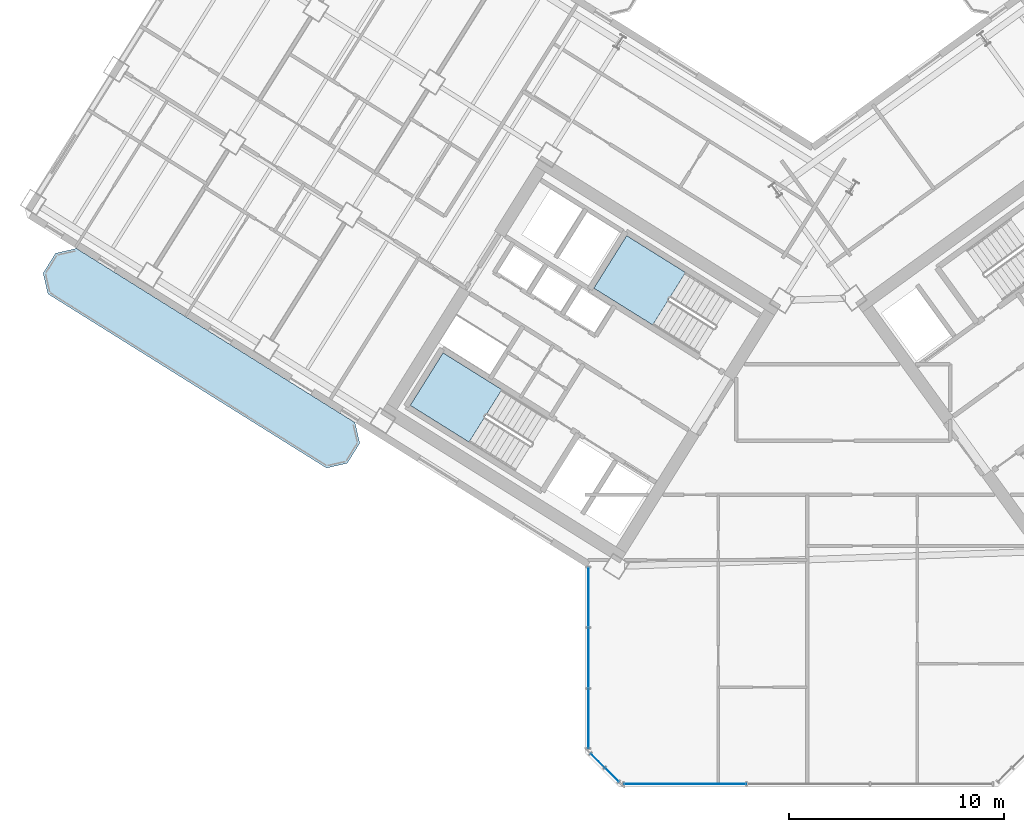
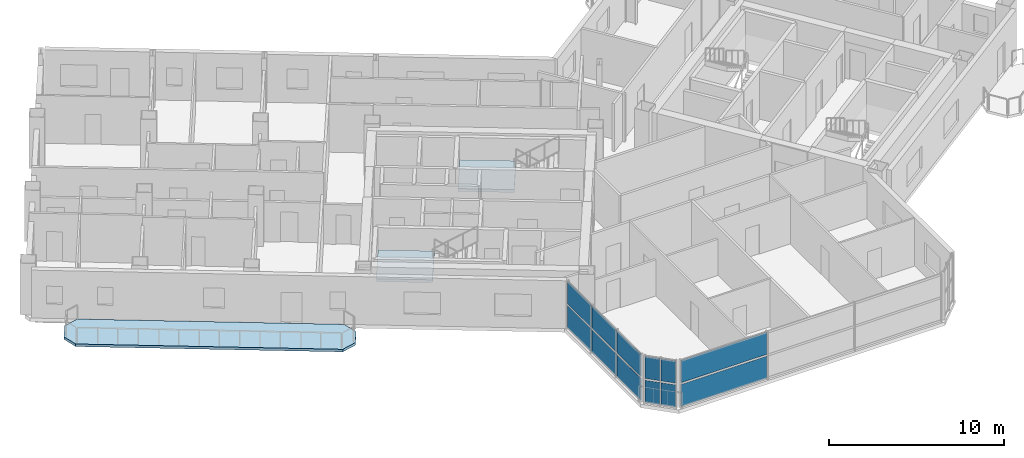
# One storey, part 8 of 20: 12 plates, 3 slabs, 5 elements without a shape of their own.
"""IFC4 building model written with IfcOpenShell, lengths in metres."""

from ifc_helpers import new_model, si_unit, direction, frame, origin, origin_2d, place, context, subcontext, project, spatial, polyline, rectangle, outline, extrude, source, transform, mapped, material, layer, layer_set, type_object, element, aggregate, save


model = new_model("IFC4")

# Units and contexts
model_context = context("Model", 3, precision=1e-05, world=origin(), true_north=direction((0.0, 1.0)))
body_context = subcontext(model_context, "Body", "Model", "MODEL_VIEW")
ifc_project = project(units=[si_unit("LENGTHUNIT", "METRE"), si_unit("AREAUNIT", "SQUARE_METRE"), si_unit("VOLUMEUNIT", "CUBIC_METRE"), si_unit("PLANEANGLEUNIT", "RADIAN"), si_unit("MASSUNIT", "GRAM", prefix="KILO")], contexts=[model_context])

# Site, building, storey
site_placement = place(None, origin())
site = spatial("IfcSite", under=ifc_project, at=site_placement, CompositionType="ELEMENT")
building_placement = place(site_placement, origin())
building = spatial("IfcBuilding", under=site, at=building_placement, Name="Tlacorven Tower", CompositionType="ELEMENT")
storey_placement = place(building_placement, frame((0.0, 0.0, 108.89990234375)))
storey = spatial("IfcBuildingStorey", under=building, at=storey_placement, Name="L27", CompositionType="ELEMENT", Elevation=108.89990234375)

# Slab
ifc_material_1 = material(Name="Precast concrete C45/55", Category="concrete")
ifc_layer_1 = layer(ifc_material_1, 0.179931640625)
ifc_layer_set_1 = layer_set([ifc_layer_1], Name="Precast concrete C45/55")
slab_type_1 = type_object("IfcSlabType", Name="SL-BAL-180", PredefinedType="USERDEFINED", material=ifc_layer_set_1)
slab_1_placement = place(storey_placement, frame((0.0, 0.0, -0.179931640625)))
element("IfcSlab", 1, at=slab_1_placement, inside=storey, type_object=slab_type_1, Name="L27 West Wing Balcony Ribbon OUT", ObjectType="BALCONY SLAB", PredefinedType="USERDEFINED", context=body_context, shape_type="SweptSolid", body=[
    extrude(outline(polyline([(20.88671875, 18.78271484375), (7.91162109375, 26.890625), (6.947021484375, 26.66796875), (6.366943359375, 25.7392578125), (6.589599609375, 24.774658203125), (19.564697265625, 16.6669921875), (20.529296875, 16.8896484375), (21.109375, 17.818115234375), (20.88671875, 18.78271484375)])), origin(), (0.0, 0.0, 1.0), 0.179931640625),
])

# Stair, slab
ifc_material_2 = material(Name="Concrete C40/50", Category="concrete")
stair_type = type_object("IfcStairType", Name="ST-CORE-DLG", PredefinedType="HALF_TURN_STAIR", material=ifc_material_2)
stair_1_placement = place(storey_placement, origin())
stair_1 = element("IfcStair", 2, at=stair_1_placement, inside=storey, type_object=stair_type, Name="L27 Protected Exit Stair West 1", PredefinedType="HALF_TURN_STAIR")
ifc_layer_2 = layer(ifc_material_2, 0.199951171875)
ifc_layer_set_2 = layer_set([ifc_layer_2], Name="Concrete C40/50")
slab_type_2 = type_object("IfcSlabType", Name="SL-LND-200", PredefinedType="LANDING", material=ifc_layer_set_2)
slab_2_placement = place(storey_placement, frame((0.0, 0.0, 1.60009765625)))
slab_2 = element("IfcSlab", 3, at=slab_2_placement, type_object=slab_type_2, Name="ST-W1 landing 1", PredefinedType="LANDING", context=body_context, shape_type="SweptSolid", body=[
    extrude(outline(polyline([(27.728515625, 20.315185546875), (24.9892578125, 22.02685546875), (23.463134765625, 19.58447265625), (26.2021484375, 17.872802734375), (27.728515625, 20.315185546875)])), origin(), (0.0, 0.0, 1.0), 0.199951171875),
])
aggregate(stair_1, [slab_2])

stair_2_placement = place(storey_placement, origin())
stair_2 = element("IfcStair", 4, at=stair_2_placement, inside=storey, type_object=stair_type, Name="L27 Protected Exit Stair West 2", PredefinedType="HALF_TURN_STAIR")
slab_3_placement = place(storey_placement, frame((0.0, 0.0, 1.60009765625)))
slab_3 = element("IfcSlab", 5, at=slab_3_placement, type_object=slab_type_2, Name="ST-W2 landing 1", PredefinedType="LANDING", context=body_context, shape_type="SweptSolid", body=[
    extrude(outline(polyline([(36.280029296875, 25.772705078125), (33.540771484375, 27.484375), (32.0146484375, 25.0419921875), (34.75390625, 23.33056640625), (36.280029296875, 25.772705078125)])), origin(), (0.0, 0.0, 1.0), 0.199951171875),
])
aggregate(stair_2, [slab_3])

# Curtain wall, plates
ifc_material_3 = material(Name="Dark solar low-E double glazing in aluminium frame", Category="aluminium")
curtain_wall_type = type_object("IfcCurtainWallType", Name="CW-TWR-MID", PredefinedType="USERDEFINED", material=ifc_material_3)
curtain_wall_1_placement = place(storey_placement, origin())
curtain_wall_1 = element("IfcCurtainWall", 6, at=curtain_wall_1_placement, inside=storey, type_object=curtain_wall_type, Name="L27 CW-TWR-MID Curtain Wall 137", ObjectType="UNITISED CURTAIN WALL", PredefinedType="USERDEFINED")
ifc_material_4 = material(Name="High-wind dark solar tempered low-E glazing", Category="glass")
ifc_layer_3 = layer(ifc_material_4, 0.028076171875)
ifc_layer_set_3 = layer_set([ifc_layer_3], Name="High-wind dark solar tempered low-E glazing")
plate_type = type_object("IfcPlateType", Name="CWP-03", PredefinedType="CURTAIN_PANEL", material=ifc_layer_set_3)
shared_shape_1 = source(origin(), body_context, "Body", "SweptSolid", [
    extrude(rectangle(XDim=0.885498046875, YDim=0.028076171875, at=origin_2d()), origin(), (0.0, 0.0, 1.0), 1.552978515625),
])
plate_1_placement = place(storey_placement, frame((32.8427734375, 2.38330078125, 0.06103515625), z_axis=(0.0, 0.0, 1.0), x_axis=(-0.707106781187, 0.707106781187, 0.0)))
plate_1 = element("IfcPlate", 7, at=plate_1_placement, type_object=plate_type, Name="CW-L27-137 Glazing Panel 1", PredefinedType="CURTAIN_PANEL", context=body_context, shape_type="MappedRepresentation", body=[
    mapped(shared_shape_1, transform((0.0, 0.0, 0.0), scale=1.0)),
])
plate_2_placement = place(storey_placement, frame((32.8427734375, 2.38330078125, 1.736328125), z_axis=(0.0, 0.0, 1.0), x_axis=(-0.707106781187, 0.707106781187, 0.0)))
plate_2 = element("IfcPlate", 8, at=plate_2_placement, type_object=plate_type, Name="CW-L27-137 Glazing Panel 2", PredefinedType="CURTAIN_PANEL", context=body_context, shape_type="MappedRepresentation", body=[
    mapped(shared_shape_1, transform((0.0, 0.0, 0.0), scale=1.0)),
])
plate_3_placement = place(storey_placement, frame((32.183349609375, 3.04296875, 0.06103515625), z_axis=(0.0, 0.0, 1.0), x_axis=(-0.707106781187, 0.707106781187, 0.0)))
plate_3 = element("IfcPlate", 9, at=plate_3_placement, type_object=plate_type, Name="CW-L27-137 Glazing Panel 3", PredefinedType="CURTAIN_PANEL", context=body_context, shape_type="MappedRepresentation", body=[
    mapped(shared_shape_1, transform((0.0, 0.0, 0.0), scale=1.0)),
])
plate_4_placement = place(storey_placement, frame((32.183349609375, 3.04296875, 1.736328125), z_axis=(0.0, 0.0, 1.0), x_axis=(-0.707106781187, 0.707106781187, 0.0)))
plate_4 = element("IfcPlate", 10, at=plate_4_placement, type_object=plate_type, Name="CW-L27-137 Glazing Panel 4", PredefinedType="CURTAIN_PANEL", context=body_context, shape_type="MappedRepresentation", body=[
    mapped(shared_shape_1, transform((0.0, 0.0, 0.0), scale=1.0)),
])
aggregate(curtain_wall_1, [plate_1, plate_2, plate_3, plate_4])

curtain_wall_2_placement = place(storey_placement, origin())
curtain_wall_2 = element("IfcCurtainWall", 11, at=curtain_wall_2_placement, inside=storey, type_object=curtain_wall_type, Name="L27 CW-TWR-MID Curtain Wall 136", ObjectType="UNITISED CURTAIN WALL", PredefinedType="USERDEFINED")
shared_shape_2 = source(origin(), body_context, "Body", "SweptSolid", [
    extrude(rectangle(XDim=5.67626953125, YDim=0.028076171875, at=origin_2d()), origin(), (0.0, 0.0, 1.0), 1.552978515625),
])
plate_5_placement = place(storey_placement, frame((36.260498046875, 1.9599609375, 0.06103515625), z_axis=(0.0, 0.0, 1.0), x_axis=(-1.0, 0.0, 0.0)))
plate_5 = element("IfcPlate", 12, at=plate_5_placement, type_object=plate_type, Name="CW-L27-136 Glazing Panel 5", PredefinedType="CURTAIN_PANEL", context=body_context, shape_type="MappedRepresentation", body=[
    mapped(shared_shape_2, transform((0.0, 0.0, 0.0), scale=1.0)),
])
plate_6_placement = place(storey_placement, frame((36.260498046875, 1.9599609375, 1.736328125), z_axis=(0.0, 0.0, 1.0), x_axis=(-1.0, 0.0, 0.0)))
plate_6 = element("IfcPlate", 13, at=plate_6_placement, type_object=plate_type, Name="CW-L27-136 Glazing Panel 6", PredefinedType="CURTAIN_PANEL", context=body_context, shape_type="MappedRepresentation", body=[
    mapped(shared_shape_2, transform((0.0, 0.0, 0.0), scale=1.0)),
])
aggregate(curtain_wall_2, [plate_5, plate_6])

curtain_wall_3_placement = place(storey_placement, origin())
curtain_wall_3 = element("IfcCurtainWall", 14, at=curtain_wall_3_placement, inside=storey, type_object=curtain_wall_type, Name="L27 CW-TWR-MID Curtain Wall 138", ObjectType="UNITISED CURTAIN WALL", PredefinedType="USERDEFINED")
shared_shape_3 = source(origin(), body_context, "Body", "SweptSolid", [
    extrude(rectangle(XDim=2.759521484375, YDim=0.028076171875, at=origin_2d()), origin(), (0.0, 0.0, 1.0), 1.552978515625),
])
plate_7_placement = place(storey_placement, frame((31.760009765625, 5.001953125, 0.06103515625), z_axis=(0.0, 0.0, 1.0), x_axis=(0.0, 1.0, 0.0)))
plate_7 = element("IfcPlate", 15, at=plate_7_placement, type_object=plate_type, Name="CW-L27-138 Glazing Panel 1", PredefinedType="CURTAIN_PANEL", context=body_context, shape_type="MappedRepresentation", body=[
    mapped(shared_shape_3, transform((0.0, 0.0, 0.0), scale=1.0)),
])
plate_8_placement = place(storey_placement, frame((31.760009765625, 5.001953125, 1.736328125), z_axis=(0.0, 0.0, 1.0), x_axis=(0.0, 1.0, 0.0)))
plate_8 = element("IfcPlate", 16, at=plate_8_placement, type_object=plate_type, Name="CW-L27-138 Glazing Panel 2", PredefinedType="CURTAIN_PANEL", context=body_context, shape_type="MappedRepresentation", body=[
    mapped(shared_shape_3, transform((0.0, 0.0, 0.0), scale=1.0)),
])
plate_9_placement = place(storey_placement, frame((31.760009765625, 10.6474609375, 0.06103515625), z_axis=(0.0, 0.0, 1.0), x_axis=(0.0, 1.0, 0.0)))
plate_9 = element("IfcPlate", 17, at=plate_9_placement, type_object=plate_type, Name="CW-L27-138 Glazing Panel 5", PredefinedType="CURTAIN_PANEL", context=body_context, shape_type="MappedRepresentation", body=[
    mapped(shared_shape_3, transform((0.0, 0.0, 0.0), scale=1.0)),
])
plate_10_placement = place(storey_placement, frame((31.760009765625, 10.6474609375, 1.736328125), z_axis=(0.0, 0.0, 1.0), x_axis=(0.0, 1.0, 0.0)))
plate_10 = element("IfcPlate", 18, at=plate_10_placement, type_object=plate_type, Name="CW-L27-138 Glazing Panel 6", PredefinedType="CURTAIN_PANEL", context=body_context, shape_type="MappedRepresentation", body=[
    mapped(shared_shape_3, transform((0.0, 0.0, 0.0), scale=1.0)),
])
shared_shape_4 = source(origin(), body_context, "Body", "SweptSolid", [
    extrude(rectangle(XDim=2.7919921875, YDim=0.028076171875, at=origin_2d()), origin(), (0.0, 0.0, 1.0), 1.552978515625),
])
plate_11_placement = place(storey_placement, frame((31.760009765625, 7.82470703125, 0.06103515625), z_axis=(0.0, 0.0, 1.0), x_axis=(0.0, 1.0, 0.0)))
plate_11 = element("IfcPlate", 19, at=plate_11_placement, type_object=plate_type, Name="CW-L27-138 Glazing Panel 3", PredefinedType="CURTAIN_PANEL", context=body_context, shape_type="MappedRepresentation", body=[
    mapped(shared_shape_4, transform((0.0, 0.0, 0.0), scale=1.0)),
])
plate_12_placement = place(storey_placement, frame((31.760009765625, 7.82470703125, 1.736328125), z_axis=(0.0, 0.0, 1.0), x_axis=(0.0, 1.0, 0.0)))
plate_12 = element("IfcPlate", 20, at=plate_12_placement, type_object=plate_type, Name="CW-L27-138 Glazing Panel 4", PredefinedType="CURTAIN_PANEL", context=body_context, shape_type="MappedRepresentation", body=[
    mapped(shared_shape_4, transform((0.0, 0.0, 0.0), scale=1.0)),
])
aggregate(curtain_wall_3, [plate_7, plate_8, plate_11, plate_12, plate_9, plate_10])

save(model, "model.ifc")
